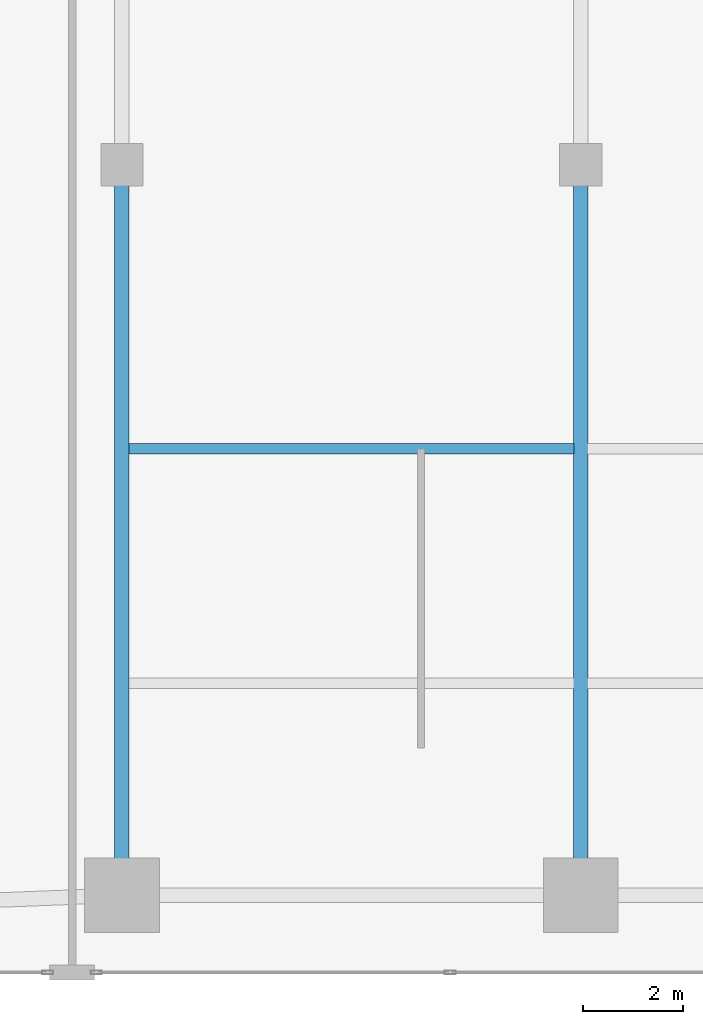
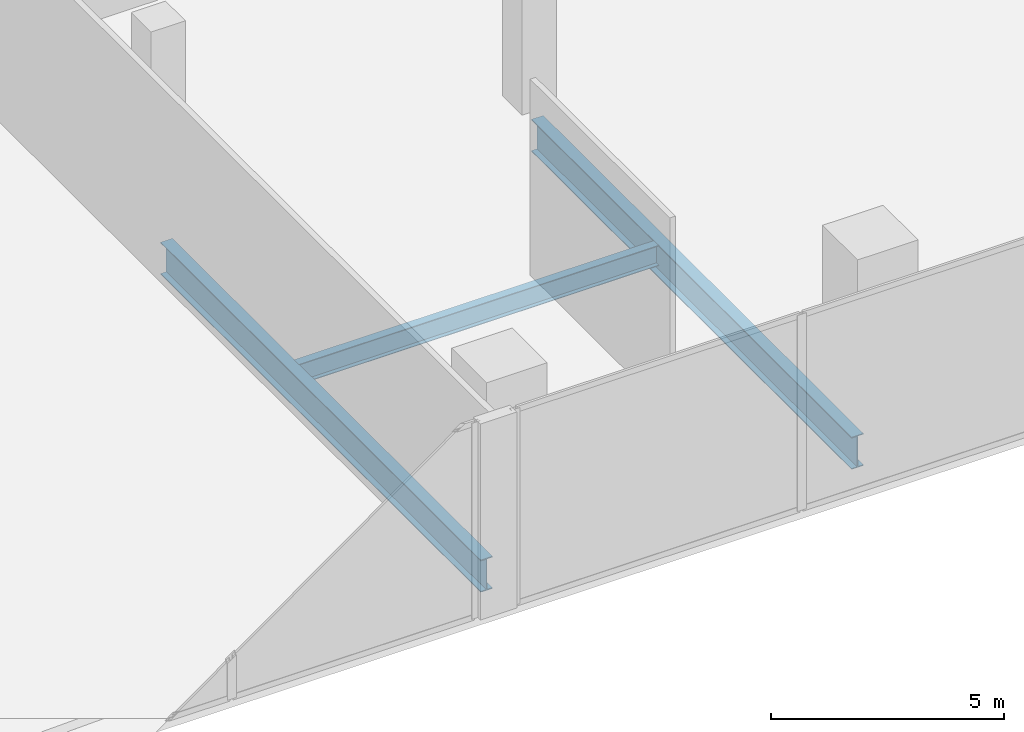
# One storey, part 5 of 30: 3 beams.
"""IFC4 building model written with IfcOpenShell, lengths in metres."""

from ifc_helpers import new_model, si_unit, direction, frame, origin, origin_2d, place, context, subcontext, project, spatial, i_section, extrude, material, material_profile, profile_set, type_object, element, save


model = new_model("IFC4")

# Units and contexts
model_context = context("Model", 3, precision=1e-05, world=origin(), true_north=direction((0.0, 1.0)))
body_context = subcontext(model_context, "Body", "Model", "MODEL_VIEW")
ifc_project = project(units=[si_unit("LENGTHUNIT", "METRE"), si_unit("AREAUNIT", "SQUARE_METRE"), si_unit("VOLUMEUNIT", "CUBIC_METRE"), si_unit("PLANEANGLEUNIT", "RADIAN"), si_unit("MASSUNIT", "GRAM", prefix="KILO")], contexts=[model_context])

# Site, building, storey
site_placement = place(None, origin())
site = spatial("IfcSite", under=ifc_project, at=site_placement, CompositionType="ELEMENT")
building_placement = place(site_placement, origin())
building = spatial("IfcBuilding", under=site, at=building_placement, Name="Zuhayl Quay Hotel", CompositionType="ELEMENT")
storey_placement = place(building_placement, frame((0.0, 0.0, 6.0)))
storey = spatial("IfcBuildingStorey", under=building, at=storey_placement, Name="L01", CompositionType="ELEMENT", Elevation=6.0)

# Beams
ifc_material = material(Name="Steel ASTM A992 Grade 50", Category="steel")
ifc_material_profile_1 = material_profile(ifc_material, i_section(OverallWidth=0.208984375, OverallDepth=0.532958984375, WebThickness=0.01025390625, FlangeThickness=0.015625, at=origin_2d()), Name="W21X62")
ifc_profile_set_1 = profile_set([ifc_material_profile_1], Name="Steel ASTM A992 Grade 50")
beam_type_1 = type_object("IfcBeamType", Name="BM_J1_W21X62", PredefinedType="JOIST", material=ifc_profile_set_1)
beam_placement = place(storey_placement, frame((-13.662109375, -13.5, -0.5166015625), z_axis=(1.0, 0.0, 0.0), x_axis=(0.0, 1.0, 0.0)))
element("IfcBeam", 1, at=beam_placement, inside=storey, type_object=beam_type_1, Name="L01 Floor Beam J_POD_L01_2_1", PredefinedType="JOIST", context=body_context, shape_type="SweptSolid", body=[
    extrude(i_section(OverallWidth=0.208984375, OverallDepth=0.532958984375, WebThickness=0.01025390625, FlangeThickness=0.015625, at=origin_2d()), origin(), (0.0, 0.0, 1.0), 8.924072265625),
])
ifc_material_profile_2 = material_profile(ifc_material, i_section(OverallWidth=0.2919921875, OverallDepth=0.845947265625, WebThickness=0.015380859375, FlangeThickness=0.0244140625, at=origin_2d()), Name="W33X141")
ifc_profile_set_2 = profile_set([ifc_material_profile_2], Name="Steel ASTM A992 Grade 50")
beam_type_2 = type_object("IfcBeamType", Name="BM_PG3_W33X141", PredefinedType="BEAM", material=ifc_profile_set_2)
for number, where, z_axis, x_axis, name in (
    (2, (-13.800048828125, -21.89990234375, -0.673095703125), (0.0, 1.0, 0.0), (-1.0, 0.0, 0.0), "L01 Floor Beam PG_NS1_L01_1"),
    (3, (-4.60009765625, -21.89990234375, -0.673095703125), (0.0, 1.0, 0.0), (-1.0, 0.0, 0.0), "L01 Floor Beam PG_NS1_L01_2"),
):
    element("IfcBeam", number, at=place(storey_placement, frame(where, z_axis=z_axis, x_axis=x_axis)), inside=storey, type_object=beam_type_2, Name=name, PredefinedType="BEAM", context=body_context, shape_type="SweptSolid", body=[
        extrude(i_section(OverallWidth=0.2919921875, OverallDepth=0.845947265625, WebThickness=0.015380859375, FlangeThickness=0.0244140625, at=origin_2d()), origin(), (0.0, 0.0, 1.0), 13.75),
    ])

save(model, "model.ifc")
